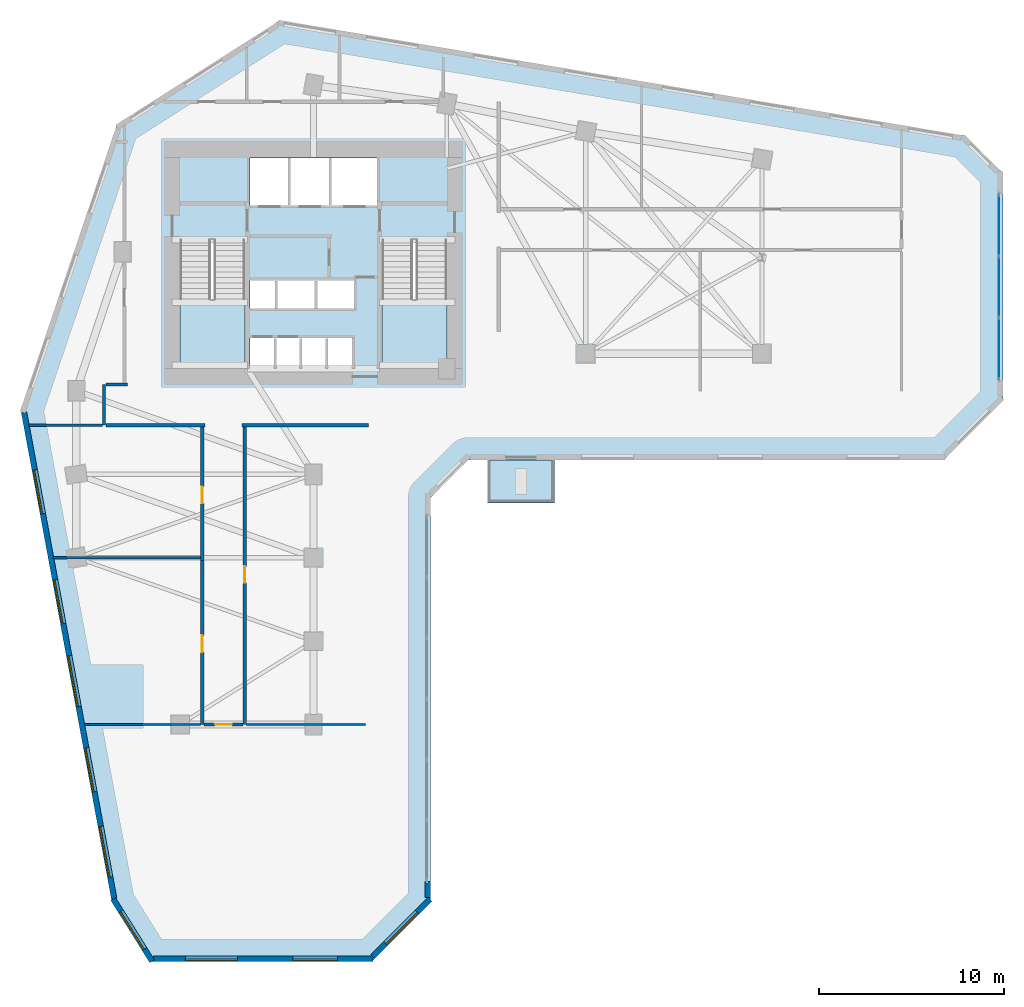
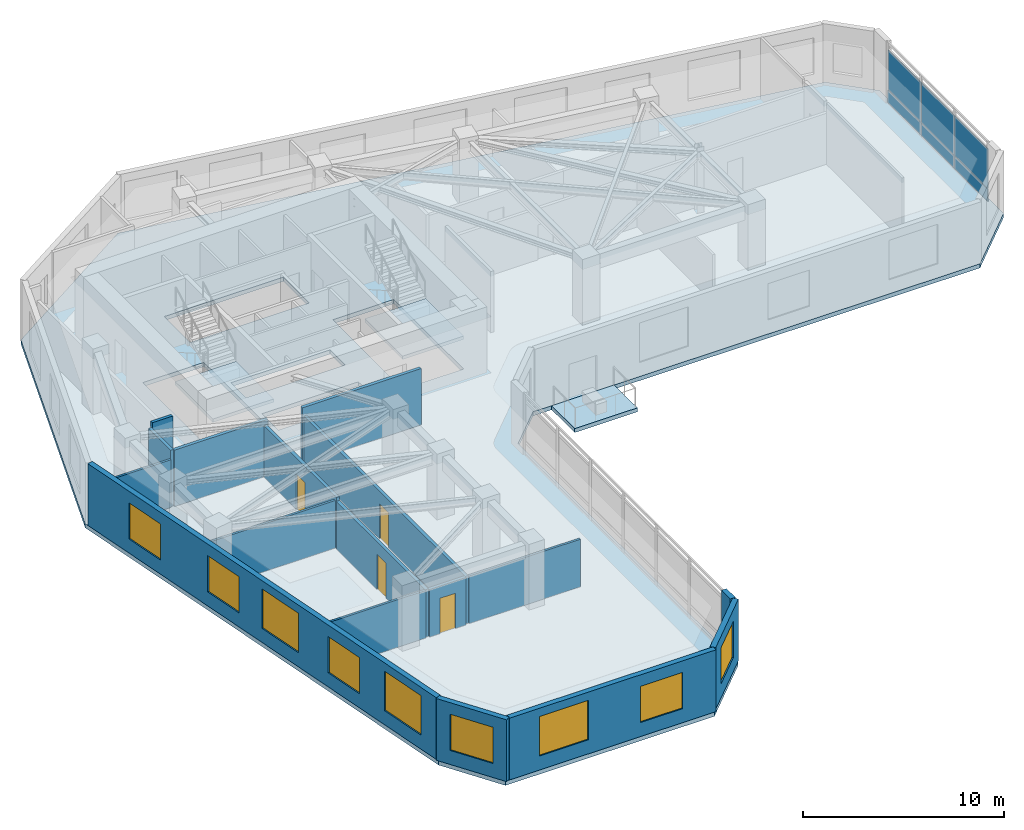
# One storey, part 6 of 11: 17 walls, 9 windows, 6 plates, 4 doors, 4 slabs, 13 openings, 3 elements without a shape of their own.
"""IFC4 building model written with IfcOpenShell, lengths in metres."""

from ifc_helpers import new_model, si_unit, direction, frame, frame_2d, origin, place, context, subcontext, project, spatial, polyline, rectangle, outline, extrude, source, transform, mapped, material, layer, layer_set, type_object, element, fill, aggregate, save


model = new_model("IFC4")

# Units and contexts
model_context = context("Model", 3, precision=1e-05, world=origin(), true_north=direction((0.0, 1.0)))
body_context = subcontext(model_context, "Body", "Model", "MODEL_VIEW")
ifc_project = project(units=[si_unit("LENGTHUNIT", "METRE"), si_unit("AREAUNIT", "SQUARE_METRE"), si_unit("VOLUMEUNIT", "CUBIC_METRE"), si_unit("PLANEANGLEUNIT", "RADIAN"), si_unit("MASSUNIT", "GRAM", prefix="KILO")], contexts=[model_context])

# Site, building, storey
site_placement = place(None, origin())
site = spatial("IfcSite", under=ifc_project, at=site_placement, CompositionType="ELEMENT")
building_placement = place(site_placement, origin())
building = spatial("IfcBuilding", under=site, at=building_placement, Name="Calvemar Wedge Station Tower", CompositionType="ELEMENT")
storey_placement = place(building_placement, frame((0.0, 0.0, 43.0)))
storey = spatial("IfcBuildingStorey", under=building, at=storey_placement, Name="L10", CompositionType="ELEMENT", Elevation=43.0)

# Curtain wall, plates
ifc_material_1 = material(Name="Anodised aluminium 6063-T6", Category="aluminium")
curtain_wall_type = type_object("IfcCurtainWallType", Name="CW1", PredefinedType="NOTDEFINED", material=ifc_material_1)
curtain_wall_placement = place(storey_placement, origin())
curtain_wall = element("IfcCurtainWall", 1, at=curtain_wall_placement, inside=storey, type_object=curtain_wall_type, Name="Storey L10 CW1 Recessed Unitised Curtain Wall 8", PredefinedType="NOTDEFINED")
ifc_material_2 = material(Name="Low-E laminated insulated glass", Category="glass")
ifc_layer_1 = layer(ifc_material_2, 0.028076171875)
ifc_layer_set_1 = layer_set([ifc_layer_1], Name="Low-E laminated insulated glass")
plate_type_1 = type_object("IfcPlateType", Name="CW1-GLZ", PredefinedType="CURTAIN_PANEL", material=ifc_layer_set_1)
plate_1_placement = place(storey_placement, frame((60.7900390625, 33.64013671875, 0.8701171875), z_axis=(0.0, 0.0, 1.0), x_axis=(0.0, 1.0, 0.0)))
plate_1 = element("IfcPlate", 2, at=plate_1_placement, type_object=plate_type_1, Name="CW1 vision glass panel 1", PredefinedType="CURTAIN_PANEL", context=body_context, shape_type="SweptSolid", body=[
    extrude(rectangle(XDim=3.289306640625, YDim=0.028076171875, at=frame_2d((1.64453125, 0.0))), origin(), (0.0, 0.0, 1.0), 2.409912109375),
])
plate_2_placement = place(storey_placement, frame((60.7900390625, 36.96533203125, 0.8701171875), z_axis=(0.0, 0.0, 1.0), x_axis=(0.0, 1.0, 0.0)))
plate_2 = element("IfcPlate", 3, at=plate_2_placement, type_object=plate_type_1, Name="CW1 vision glass panel 2", PredefinedType="CURTAIN_PANEL", context=body_context, shape_type="SweptSolid", body=[
    extrude(rectangle(XDim=3.289306640625, YDim=0.028076171875, at=frame_2d((1.64453125, 0.0))), origin(), (0.0, 0.0, 1.0), 2.409912109375),
])
plate_3_placement = place(storey_placement, frame((60.7900390625, 40.29052734375, 0.8701171875), z_axis=(0.0, 0.0, 1.0), x_axis=(0.0, 1.0, 0.0)))
plate_3 = element("IfcPlate", 4, at=plate_3_placement, type_object=plate_type_1, Name="CW1 vision glass panel 3", PredefinedType="CURTAIN_PANEL", context=body_context, shape_type="SweptSolid", body=[
    extrude(rectangle(XDim=3.289306640625, YDim=0.028076171875, at=frame_2d((1.64453125, 0.0))), origin(), (0.0, 0.0, 1.0), 2.409912109375),
])
ifc_material_3 = material(Name="Oxidized bronze aluminium spandrel panel 5005-H24", Category="aluminium")
ifc_layer_2 = layer(ifc_material_3, 0.0400390625)
ifc_layer_set_2 = layer_set([ifc_layer_2], Name="Oxidized bronze aluminium spandrel panel 5005-H24")
plate_type_2 = type_object("IfcPlateType", Name="CW1-SPD", PredefinedType="SHEET", material=ifc_layer_set_2)
plate_4_placement = place(storey_placement, frame((60.7900390625, 33.64013671875, 0.080078125), z_axis=(0.0, 0.0, 1.0), x_axis=(0.0, 1.0, 0.0)))
plate_4 = element("IfcPlate", 5, at=plate_4_placement, type_object=plate_type_2, Name="CW1 bronze spandrel panel 1", PredefinedType="SHEET", context=body_context, shape_type="SweptSolid", body=[
    extrude(rectangle(XDim=3.289306640625, YDim=0.0400390625, at=frame_2d((1.64453125, 0.0))), origin(), (0.0, 0.0, 1.0), 0.75),
])
plate_5_placement = place(storey_placement, frame((60.7900390625, 36.96533203125, 0.080078125), z_axis=(0.0, 0.0, 1.0), x_axis=(0.0, 1.0, 0.0)))
plate_5 = element("IfcPlate", 6, at=plate_5_placement, type_object=plate_type_2, Name="CW1 bronze spandrel panel 2", PredefinedType="SHEET", context=body_context, shape_type="SweptSolid", body=[
    extrude(rectangle(XDim=3.289306640625, YDim=0.0400390625, at=frame_2d((1.64453125, 0.0))), origin(), (0.0, 0.0, 1.0), 0.75),
])
plate_6_placement = place(storey_placement, frame((60.7900390625, 40.29052734375, 0.080078125), z_axis=(0.0, 0.0, 1.0), x_axis=(0.0, 1.0, 0.0)))
plate_6 = element("IfcPlate", 7, at=plate_6_placement, type_object=plate_type_2, Name="CW1 bronze spandrel panel 3", PredefinedType="SHEET", context=body_context, shape_type="SweptSolid", body=[
    extrude(rectangle(XDim=3.289306640625, YDim=0.0400390625, at=frame_2d((1.64453125, 0.0))), origin(), (0.0, 0.0, 1.0), 0.75),
])
aggregate(curtain_wall, [plate_4, plate_1, plate_5, plate_2, plate_6, plate_3])

# Stair, slab
ifc_material_4 = material(Name="Concrete C45", Category="concrete")
stair_type = type_object("IfcStairType", Name="ST-TYPE-4000", PredefinedType="HALF_TURN_STAIR", material=ifc_material_4)
stair_1_placement = place(storey_placement, origin())
stair_1 = element("IfcStair", 8, at=stair_1_placement, inside=storey, type_object=stair_type, Name="L10 Pressurized Core Exit Stair ST-C1", PredefinedType="HALF_TURN_STAIR")
ifc_layer_3 = layer(ifc_material_4, 0.199951171875)
ifc_layer_set_3 = layer_set([ifc_layer_3], Name="Concrete C45")
slab_type_1 = type_object("IfcSlabType", Name="SL-STAIR-LND-200", PredefinedType="LANDING", material=ifc_layer_set_3)
slab_1_placement = place(storey_placement, frame((0.0, 0.0, 1.800048828125)))
slab_1 = element("IfcSlab", 9, at=slab_1_placement, type_object=slab_type_1, Name="ST-C1 landing 1", PredefinedType="LANDING", context=body_context, shape_type="SweptSolid", body=[
    extrude(outline(polyline([(16.60009765625, 37.9599609375), (16.60009765625, 34.199951171875), (20.10009765625, 34.199951171875), (20.10009765625, 37.9599609375), (16.60009765625, 37.9599609375)])), origin(), (0.0, 0.0, 1.0), 0.199951171875),
])
aggregate(stair_1, [slab_1])

stair_2_placement = place(storey_placement, origin())
stair_2 = element("IfcStair", 10, at=stair_2_placement, inside=storey, type_object=stair_type, Name="L10 Pressurized Core Exit Stair ST-C2", PredefinedType="HALF_TURN_STAIR")
slab_2_placement = place(storey_placement, frame((0.0, 0.0, 1.800048828125)))
slab_2 = element("IfcSlab", 11, at=slab_2_placement, type_object=slab_type_1, Name="ST-C2 landing 1", PredefinedType="LANDING", context=body_context, shape_type="SweptSolid", body=[
    extrude(outline(polyline([(27.5, 37.9599609375), (27.5, 34.199951171875), (31.0, 34.199951171875), (31.0, 37.9599609375), (27.5, 37.9599609375)])), origin(), (0.0, 0.0, 1.0), 0.199951171875),
])
aggregate(stair_2, [slab_2])

# Slabs
ifc_layer_4 = layer(ifc_material_4, 0.239990234375)
ifc_layer_set_4 = layer_set([ifc_layer_4], Name="Concrete C45")
slab_type_2 = type_object("IfcSlabType", Name="SL-TERR-240", PredefinedType="FLOOR", material=ifc_layer_set_4)
slab_3_placement = place(storey_placement, frame((0.0, 0.0, -0.239990234375)))
element("IfcSlab", 12, at=slab_3_placement, inside=storey, type_object=slab_type_2, Name="Storey L10 Planted Spiral Terrace Slab", PredefinedType="FLOOR", context=body_context, shape_type="SweptSolid", body=[
    extrude(outline(polyline([(33.199951171875, 29.260009765625), (33.199951171875, 26.9599609375), (36.800048828125, 26.9599609375), (36.800048828125, 29.260009765625), (33.199951171875, 29.260009765625)])), origin(), (0.0, 0.0, 1.0), 0.239990234375),
])
ifc_material_5 = material(Name="Concrete C50", Category="concrete")
ifc_layer_5 = layer(ifc_material_5, 0.25)
ifc_layer_set_5 = layer_set([ifc_layer_5], Name="Concrete C50")
slab_type_3 = type_object("IfcSlabType", Name="SL-TYP-250", PredefinedType="FLOOR", material=ifc_layer_set_5)
slab_4_placement = place(storey_placement, frame((0.0, 0.0, -0.25)))
element("IfcSlab", 13, at=slab_4_placement, inside=storey, type_object=slab_type_3, Name="Storey L10 Structural Floor Slab", PredefinedType="FLOOR", context=body_context, shape_type="SweptSolid", body=[
    extrude(outline(polyline([(8.0, 32.0), (12.927978515625, 5.39990234375), (14.927978515625, 2.199951171875), (26.927978515625, 2.199951171875), (30.1279296875, 5.39990234375), (30.1279296875, 27.260009765625), (32.1279296875, 29.260009765625), (57.800048828125, 29.260009765625), (61.0, 32.4599609375), (61.0, 44.760009765625), (59.0, 46.760009765625), (22.0, 53.0), (13.199951171875, 47.39990234375), (8.0, 32.0)]), holes=[polyline([(21.739990234375, 35.85009765625), (21.72998046875, 35.85009765625), (20.3798828125, 35.85009765625), (20.3798828125, 34.219970703125), (21.72998046875, 34.219970703125), (21.739990234375, 34.219970703125), (23.1201171875, 34.219970703125), (23.1298828125, 34.219970703125), (24.510009765625, 34.219970703125), (24.52001953125, 34.219970703125), (25.909912109375, 34.219970703125), (25.909912109375, 35.85009765625), (24.52001953125, 35.85009765625), (24.510009765625, 35.85009765625), (23.1298828125, 35.85009765625), (23.1201171875, 35.85009765625), (21.739990234375, 35.85009765625)]), polyline([(16.60009765625, 41.14990234375), (16.60009765625, 34.199951171875), (20.10009765625, 34.199951171875), (20.10009765625, 41.14990234375), (16.60009765625, 41.14990234375)]), polyline([(27.5, 34.199951171875), (31.0, 34.199951171875), (31.0, 41.14990234375), (27.5, 41.14990234375), (27.5, 34.199951171875)]), polyline([(21.7900390625, 37.449951171875), (21.800048828125, 37.449951171875), (23.929931640625, 37.449951171875), (23.93994140625, 37.449951171875), (26.080078125, 37.449951171875), (26.080078125, 38.949951171875), (23.93994140625, 38.949951171875), (23.929931640625, 38.949951171875), (21.800048828125, 38.949951171875), (21.7900390625, 38.949951171875), (20.3798828125, 38.949951171875), (20.3798828125, 37.449951171875), (21.7900390625, 37.449951171875)]), polyline([(20.3798828125, 43.0), (27.219970703125, 43.0), (27.219970703125, 45.580078125), (20.3798828125, 45.580078125), (20.3798828125, 43.0)])]), origin(), (0.0, 0.0, 1.0), 0.25),
])

# Walls
ifc_material_6 = material(Name="Double-stud fire-rated corridor partition")
ifc_layer_6 = layer(ifc_material_6, 0.179931640625)
ifc_layer_set_6 = layer_set([ifc_layer_6], Name="Double-stud fire-rated corridor partition")
wall_type_1 = type_object("IfcWallType", Name="W-CORR-180", PredefinedType="PARTITIONING", material=ifc_layer_set_6)
wall_1_placement = place(storey_placement, frame((12.5, 31.14990234375, 0.0), z_axis=(0.0, 0.0, 1.0), x_axis=(0.0, 1.0, 0.0)))
element("IfcWall", 14, at=wall_1_placement, inside=storey, type_object=wall_type_1, Name="Storey L10 Interior Partition WL-L10-004", PredefinedType="PARTITIONING", context=body_context, shape_type="SweptSolid", body=[
    extrude(rectangle(XDim=2.2001953125, YDim=0.179931640625, at=frame_2d((1.10009765625, 0.0))), origin(), (0.0, 0.0, 1.0), 3.4189453125),
])
wall_2_placement = place(storey_placement, frame((12.593994140625, 33.35009765625, 0.0), z_axis=(0.0, 0.0, 1.0), x_axis=(1.0, 0.0, 0.0)))
element("IfcWall", 15, at=wall_2_placement, inside=storey, type_object=wall_type_1, Name="Storey L10 Interior Partition WL-L10-005", PredefinedType="PARTITIONING", context=body_context, shape_type="SweptSolid", body=[
    extrude(rectangle(XDim=1.166015625, YDim=0.179931640625, at=frame_2d((0.5830078125, 0.0))), origin(), (0.0, 0.0, 1.0), 3.75),
])
wall_3_placement = place(storey_placement, frame((17.9599609375, 31.14990234375, 0.0), z_axis=(0.0, 0.0, 1.0), x_axis=(-1.0, 0.0, 0.0)))
element("IfcWall", 16, at=wall_3_placement, inside=storey, type_object=wall_type_1, Name="Storey L10 Interior Partition WL-L10-006", PredefinedType="PARTITIONING", context=body_context, shape_type="SweptSolid", body=[
    extrude(rectangle(XDim=5.365966796875, YDim=0.179931640625, at=frame_2d((2.68310546875, 0.0))), origin(), (0.0, 0.0, 1.0), 3.4189453125),
])
wall_4_placement = place(storey_placement, frame((26.760009765625, 31.14990234375, 0.0), z_axis=(0.0, 0.0, 1.0), x_axis=(-1.0, 0.0, 0.0)))
element("IfcWall", 17, at=wall_4_placement, inside=storey, type_object=wall_type_1, Name="Storey L10 Interior Partition WL-L10-007", PredefinedType="PARTITIONING", context=body_context, shape_type="SweptSolid", body=[
    extrude(rectangle(XDim=6.820068359375, YDim=0.179931640625, at=frame_2d((3.41015625, 0.0))), origin(), (0.0, 0.0, 1.0), 3.4189453125),
])

# Wall, opening, door
wall_5_placement = place(storey_placement, frame((17.800048828125, 23.840087890625, 0.0), z_axis=(0.0, 0.0, 1.0), x_axis=(0.0, 1.0, 0.0)))
wall_5 = element("IfcWall", 18, at=wall_5_placement, inside=storey, type_object=wall_type_1, Name="Storey L10 Interior Partition WL-L10-028", PredefinedType="PARTITIONING", context=body_context, shape_type="SweptSolid", body=[
    extrude(rectangle(XDim=7.2158203125, YDim=0.179931640625, at=frame_2d((3.60791015625, 0.0))), origin(), (0.0, 0.0, 1.0), 3.125),
])
shared_shape_1 = source(origin(), body_context, "Body", "SweptSolid", [
    extrude(rectangle(XDim=0.89990234375, YDim=2.14990234375, at=frame_2d((0.449951171875, 1.074951171875))), frame((0.0, 0.10009765625, 0.0), z_axis=(0.0, -1.0, 0.0), x_axis=(1.0, 0.0, 0.0)), (0.0, 0.0, 1.0), 0.199951171875),
])
opening_1_placement = place(wall_5_placement, frame((3.0966796875, 0.0, 0.0)))
opening_1 = element("IfcOpeningElement", 19, at=opening_1_placement, cuts=wall_5, Name="Opening D-01", PredefinedType="OPENING", context=body_context, shape_type="MappedRepresentation", body=[
    mapped(shared_shape_1, transform((0.0, 0.0, 0.0), scale=1.0)),
])
ifc_material_7 = material(Name="Architectural hardwood acoustic swing door", Category="wood")
door_type = type_object("IfcDoorType", Name="DR-INT-900", OperationType="NOTDEFINED", PredefinedType="DOOR", material=ifc_material_7)
shared_shape_2 = source(origin(), body_context, "Body", "SweptSolid", [
    extrude(rectangle(XDim=0.89990234375, YDim=2.14990234375, at=frame_2d((0.449951171875, 1.074951171875))), frame((0.0, 0.02490234375, 0.0), z_axis=(0.0, -1.0, 0.0), x_axis=(1.0, 0.0, 0.0)), (0.0, 0.0, 1.0), 0.050048828125),
])
door_1_placement = place(opening_1_placement, origin())
door_1 = element("IfcDoor", 20, at=door_1_placement, inside=storey, type_object=door_type, Name="L10 Office Door", OperationType="SINGLE_SWING_LEFT", OverallHeight=2.14990234375, OverallWidth=0.89990234375, PredefinedType="DOOR", context=body_context, shape_type="MappedRepresentation", body=[
    mapped(shared_shape_2, transform((0.0, 0.0, 0.0), scale=1.0)),
])
fill(opening_1, door_1)

wall_6_placement = place(storey_placement, frame((17.800048828125, 15.0, 0.0), z_axis=(0.0, 0.0, 1.0), x_axis=(0.0, 1.0, 0.0)))
wall_6 = element("IfcWall", 21, at=wall_6_placement, inside=storey, type_object=wall_type_1, Name="Storey L10 Interior Partition WL-L10-029", PredefinedType="PARTITIONING", context=body_context, shape_type="SweptSolid", body=[
    extrude(rectangle(XDim=8.837890625, YDim=0.179931640625, at=frame_2d((4.4189453125, 0.0))), origin(), (0.0, 0.0, 1.0), 2.89208984375),
])
opening_2_placement = place(wall_6_placement, frame((3.908447265625, 0.0, 0.0)))
opening_2 = element("IfcOpeningElement", 22, at=opening_2_placement, cuts=wall_6, Name="Opening D-01", PredefinedType="OPENING", context=body_context, shape_type="MappedRepresentation", body=[
    mapped(shared_shape_1, transform((0.0, 0.0, 0.0), scale=1.0)),
])
door_2_placement = place(opening_2_placement, origin())
door_2 = element("IfcDoor", 23, at=door_2_placement, inside=storey, type_object=door_type, Name="L10 Co-Working Studio Door", OperationType="SINGLE_SWING_RIGHT", OverallHeight=2.14990234375, OverallWidth=0.89990234375, PredefinedType="DOOR", context=body_context, shape_type="MappedRepresentation", body=[
    mapped(shared_shape_2, transform((0.0, 0.0, 0.0), scale=1.0)),
])
fill(opening_2, door_2)

wall_7_placement = place(storey_placement, frame((20.10009765625, 31.055908203125, 0.0), z_axis=(0.0, 0.0, 1.0), x_axis=(0.0, -1.0, 0.0)))
wall_7 = element("IfcWall", 24, at=wall_7_placement, inside=storey, type_object=wall_type_1, Name="Storey L10 Interior Partition WL-L10-030", PredefinedType="PARTITIONING", context=body_context, shape_type="SweptSolid", body=[
    extrude(rectangle(XDim=16.055908203125, YDim=0.179931640625, at=frame_2d((8.02783203125, 0.0))), origin(), (0.0, 0.0, 1.0), 2.89208984375),
])
opening_3_placement = place(wall_7_placement, frame((7.517578125, 0.0, 0.0)))
opening_3 = element("IfcOpeningElement", 25, at=opening_3_placement, cuts=wall_7, Name="Opening D-01", PredefinedType="OPENING", context=body_context, shape_type="MappedRepresentation", body=[
    mapped(shared_shape_1, transform((0.0, 0.0, 0.0), scale=1.0)),
])
door_3_placement = place(opening_3_placement, origin())
door_3 = element("IfcDoor", 26, at=door_3_placement, inside=storey, type_object=door_type, Name="L10 Co-Working Studio Door", OperationType="SINGLE_SWING_LEFT", OverallHeight=2.14990234375, OverallWidth=0.89990234375, PredefinedType="DOOR", context=body_context, shape_type="MappedRepresentation", body=[
    mapped(shared_shape_2, transform((0.0, 0.0, 0.0), scale=1.0)),
])
fill(opening_3, door_3)

wall_8_placement = place(storey_placement, frame((20.006103515625, 15.0, 0.0), z_axis=(0.0, 0.0, 1.0), x_axis=(-1.0, 0.0, 0.0)))
wall_8 = element("IfcWall", 27, at=wall_8_placement, inside=storey, type_object=wall_type_1, Name="Storey L10 Interior Partition WL-L10-031", PredefinedType="PARTITIONING", context=body_context, shape_type="SweptSolid", body=[
    extrude(rectangle(XDim=2.112060546875, YDim=0.179931640625, at=frame_2d((1.05615234375, 0.0))), origin(), (0.0, 0.0, 1.0), 2.89208984375),
])
opening_4_placement = place(wall_8_placement, frame((0.60595703125, 0.0, 0.0)))
opening_4 = element("IfcOpeningElement", 28, at=opening_4_placement, cuts=wall_8, Name="Opening D-01", PredefinedType="OPENING", context=body_context, shape_type="MappedRepresentation", body=[
    mapped(shared_shape_1, transform((0.0, 0.0, 0.0), scale=1.0)),
])
door_4_placement = place(opening_4_placement, origin())
door_4 = element("IfcDoor", 29, at=door_4_placement, inside=storey, type_object=door_type, Name="L10 Meeting Room Door", OperationType="SINGLE_SWING_RIGHT", OverallHeight=2.14990234375, OverallWidth=0.89990234375, PredefinedType="DOOR", context=body_context, shape_type="MappedRepresentation", body=[
    mapped(shared_shape_2, transform((0.0, 0.0, 0.0), scale=1.0)),
])
fill(opening_4, door_4)

# Wall, opening, window
ifc_material_8 = material(Name="Precast concrete C45", Category="concrete")
ifc_layer_7 = layer(ifc_material_8, 0.300048828125)
ifc_layer_set_7 = layer_set([ifc_layer_7], Name="Precast concrete C45")
wall_type_2 = type_object("IfcWallType", Name="W-EXT-GFRC-300", PredefinedType="SOLIDWALL", material=ifc_layer_set_7)
wall_9_placement = place(storey_placement, frame((12.99072265625, 5.58251953125, 0.0), z_axis=(0.0, 0.0, 1.0), x_axis=(0.530015557218, -0.847987918019, 0.0)))
wall_9 = element("IfcWall", 30, at=wall_9_placement, inside=storey, type_object=wall_type_2, Name="Storey L10 Bronze GFRC Exterior Wall 1", PredefinedType="SOLIDWALL", context=body_context, shape_type="SweptSolid", body=[
    extrude(rectangle(XDim=3.9619140625, YDim=0.300048828125, at=frame_2d((1.98095703125, 0.0))), origin(), (0.0, 0.0, 1.0), 3.75),
])
shared_shape_3 = source(origin(), body_context, "Body", "SweptSolid", [
    extrude(rectangle(XDim=2.39990234375, YDim=2.199951171875, at=frame_2d((1.199951171875, 1.10009765625))), frame((0.0, 0.16015625, 0.0), z_axis=(0.0, -1.0, 0.0), x_axis=(1.0, 0.0, 0.0)), (0.0, 0.0, 1.0), 0.320068359375),
])
opening_5_placement = place(wall_9_placement, frame((0.781005859375, 0.0, 0.85009765625)))
opening_5 = element("IfcOpeningElement", 31, at=opening_5_placement, cuts=wall_9, Name="Opening W1", PredefinedType="OPENING", context=body_context, shape_type="MappedRepresentation", body=[
    mapped(shared_shape_3, transform((0.0, 0.0, 0.0), scale=1.0)),
])
window_type_1 = type_object("IfcWindowType", Name="WIN-EXT-1", PartitioningType="SINGLE_PANEL", PredefinedType="WINDOW", material=ifc_material_2)
shared_shape_4 = source(origin(), body_context, "Body", "SweptSolid", [
    extrude(rectangle(XDim=2.39990234375, YDim=2.199951171875, at=frame_2d((1.199951171875, 1.10009765625))), frame((0.0, -0.014892578125, 0.0), z_axis=(0.0, -1.0, 0.0), x_axis=(1.0, 0.0, 0.0)), (0.0, 0.0, 1.0), 0.06005859375),
])
window_1_placement = place(opening_5_placement, origin())
window_1 = element("IfcWindow", 32, at=window_1_placement, inside=storey, type_object=window_type_1, Name="Storey L10 Recessed Window 1.1", OverallHeight=2.199951171875, OverallWidth=2.39990234375, PartitioningType="SINGLE_PANEL", PredefinedType="WINDOW", context=body_context, shape_type="MappedRepresentation", body=[
    mapped(shared_shape_4, transform((0.0, 0.0, 0.0), scale=1.0)),
])
fill(opening_5, window_1)

# Wall, openings, windows
wall_10_placement = place(storey_placement, frame((15.173828125, 2.35009765625, 0.0), z_axis=(0.0, 0.0, 1.0), x_axis=(1.0, 0.0, 0.0)))
wall_10 = element("IfcWall", 33, at=wall_10_placement, inside=storey, type_object=wall_type_2, Name="Storey L10 Bronze GFRC Exterior Wall 2", PredefinedType="SOLIDWALL", context=body_context, shape_type="SweptSolid", body=[
    extrude(rectangle(XDim=11.842041015625, YDim=0.300048828125, at=frame_2d((5.9208984375, 0.0))), origin(), (0.0, 0.0, 1.0), 3.75),
])
shared_shape_5 = source(origin(), body_context, "Body", "SweptSolid", [
    extrude(rectangle(XDim=2.800048828125, YDim=2.39990234375, at=frame_2d((1.39990234375, 1.199951171875))), frame((0.0, 0.16015625, 0.0), z_axis=(0.0, -1.0, 0.0), x_axis=(1.0, 0.0, 0.0)), (0.0, 0.0, 1.0), 0.320068359375),
])
opening_6_placement = place(wall_10_placement, frame((1.720947265625, 0.0, 0.85009765625)))
opening_6 = element("IfcOpeningElement", 34, at=opening_6_placement, cuts=wall_10, Name="Opening W6", PredefinedType="OPENING", context=body_context, shape_type="MappedRepresentation", body=[
    mapped(shared_shape_5, transform((0.0, 0.0, 0.0), scale=1.0)),
])
opening_7_placement = place(wall_10_placement, frame((7.52197265625, 0.0, 0.85009765625)))
opening_7 = element("IfcOpeningElement", 35, at=opening_7_placement, cuts=wall_10, Name="Opening W1", PredefinedType="OPENING", context=body_context, shape_type="MappedRepresentation", body=[
    mapped(shared_shape_3, transform((0.0, 0.0, 0.0), scale=1.0)),
])
window_type_2 = type_object("IfcWindowType", Name="WIN-EXT-6", PartitioningType="SINGLE_PANEL", PredefinedType="WINDOW", material=ifc_material_2)
shared_shape_6 = source(origin(), body_context, "Body", "SweptSolid", [
    extrude(rectangle(XDim=2.800048828125, YDim=2.39990234375, at=frame_2d((1.39990234375, 1.199951171875))), frame((0.0, -0.014892578125, 0.0), z_axis=(0.0, -1.0, 0.0), x_axis=(1.0, 0.0, 0.0)), (0.0, 0.0, 1.0), 0.06005859375),
])
window_2_placement = place(opening_6_placement, origin())
window_2 = element("IfcWindow", 36, at=window_2_placement, inside=storey, type_object=window_type_2, Name="Storey L10 Recessed Window 2.1", OverallHeight=2.39990234375, OverallWidth=2.800048828125, PartitioningType="SINGLE_PANEL", PredefinedType="WINDOW", context=body_context, shape_type="MappedRepresentation", body=[
    mapped(shared_shape_6, transform((0.0, 0.0, 0.0), scale=1.0)),
])
fill(opening_6, window_2)
window_3_placement = place(opening_7_placement, origin())
window_3 = element("IfcWindow", 37, at=window_3_placement, inside=storey, type_object=window_type_1, Name="Storey L10 Recessed Window 2.2", OverallHeight=2.199951171875, OverallWidth=2.39990234375, PartitioningType="SINGLE_PANEL", PredefinedType="WINDOW", context=body_context, shape_type="MappedRepresentation", body=[
    mapped(shared_shape_4, transform((0.0, 0.0, 0.0), scale=1.0)),
])
fill(opening_7, window_3)

# Wall, opening, window
wall_11_placement = place(storey_placement, frame((27.00390625, 2.488037109375, 0.0), z_axis=(0.0, 0.0, 1.0), x_axis=(0.707106781187, 0.707106781187, 0.0)))
wall_11 = element("IfcWall", 38, at=wall_11_placement, inside=storey, type_object=wall_type_2, Name="Storey L10 Bronze GFRC Exterior Wall 3", PredefinedType="SOLIDWALL", context=body_context, shape_type="SweptSolid", body=[
    extrude(rectangle(XDim=4.35595703125, YDim=0.300048828125, at=frame_2d((2.177978515625, 0.0))), origin(), (0.0, 0.0, 1.0), 3.75),
])
opening_8_placement = place(wall_11_placement, frame((0.97802734375, 0.0, 0.85009765625)))
opening_8 = element("IfcOpeningElement", 39, at=opening_8_placement, cuts=wall_11, Name="Opening W1", PredefinedType="OPENING", context=body_context, shape_type="MappedRepresentation", body=[
    mapped(shared_shape_3, transform((0.0, 0.0, 0.0), scale=1.0)),
])
window_4_placement = place(opening_8_placement, origin())
window_4 = element("IfcWindow", 40, at=window_4_placement, inside=storey, type_object=window_type_1, Name="Storey L10 Recessed Window 3.1", OverallHeight=2.199951171875, OverallWidth=2.39990234375, PartitioningType="SINGLE_PANEL", PredefinedType="WINDOW", context=body_context, shape_type="MappedRepresentation", body=[
    mapped(shared_shape_4, transform((0.0, 0.0, 0.0), scale=1.0)),
])
fill(opening_8, window_4)

# Wall
wall_12_placement = place(storey_placement, frame((29.97802734375, 5.6572265625, 0.0), z_axis=(0.0, 0.0, 1.0), x_axis=(0.0, 1.0, 0.0)))
element("IfcWall", 41, at=wall_12_placement, inside=storey, type_object=wall_type_2, Name="Storey L10 Bronze GFRC Corner Pier 4A", PredefinedType="SOLIDWALL", context=body_context, shape_type="SweptSolid", body=[
    extrude(rectangle(XDim=0.8798828125, YDim=0.300048828125, at=frame_2d((0.43994140625, 0.0))), origin(), (0.0, 0.0, 1.0), 3.75),
])

# Wall, openings, windows
wall_13_placement = place(storey_placement, frame((8.183349609375, 31.83349609375, 0.0), z_axis=(0.0, 0.0, 1.0), x_axis=(0.18216364648, -0.983268226834, 0.0)))
wall_13 = element("IfcWall", 42, at=wall_13_placement, inside=storey, type_object=wall_type_2, Name="Storey L10 Bronze GFRC Exterior Wall 13", PredefinedType="SOLIDWALL", context=body_context, shape_type="SweptSolid", body=[
    extrude(rectangle(XDim=26.678466796875, YDim=0.300048828125, at=frame_2d((13.33935546875, 0.0))), origin(), (0.0, 0.0, 1.0), 3.75),
])
opening_9_placement = place(wall_13_placement, frame((3.152099609375, 0.0, 0.85009765625)))
opening_9 = element("IfcOpeningElement", 43, at=opening_9_placement, cuts=wall_13, Name="Opening W1", PredefinedType="OPENING", context=body_context, shape_type="MappedRepresentation", body=[
    mapped(shared_shape_3, transform((0.0, 0.0, 0.0), scale=1.0)),
])
opening_10_placement = place(wall_13_placement, frame((9.18603515625, 0.0, 0.85009765625)))
opening_10 = element("IfcOpeningElement", 44, at=opening_10_placement, cuts=wall_13, Name="Opening W1", PredefinedType="OPENING", context=body_context, shape_type="MappedRepresentation", body=[
    mapped(shared_shape_3, transform((0.0, 0.0, 0.0), scale=1.0)),
])
opening_11_placement = place(wall_13_placement, frame((13.343017578125, 0.0, 0.85009765625)))
opening_11 = element("IfcOpeningElement", 45, at=opening_11_placement, cuts=wall_13, Name="Opening W6", PredefinedType="OPENING", context=body_context, shape_type="MappedRepresentation", body=[
    mapped(shared_shape_5, transform((0.0, 0.0, 0.0), scale=1.0)),
])
opening_12_placement = place(wall_13_placement, frame((18.410888671875, 0.0, 0.85009765625)))
opening_12 = element("IfcOpeningElement", 46, at=opening_12_placement, cuts=wall_13, Name="Opening W1", PredefinedType="OPENING", context=body_context, shape_type="MappedRepresentation", body=[
    mapped(shared_shape_3, transform((0.0, 0.0, 0.0), scale=1.0)),
])
opening_13_placement = place(wall_13_placement, frame((22.708984375, 0.0, 0.85009765625)))
opening_13 = element("IfcOpeningElement", 47, at=opening_13_placement, cuts=wall_13, Name="Opening W6", PredefinedType="OPENING", context=body_context, shape_type="MappedRepresentation", body=[
    mapped(shared_shape_5, transform((0.0, 0.0, 0.0), scale=1.0)),
])
window_5_placement = place(opening_11_placement, origin())
window_5 = element("IfcWindow", 48, at=window_5_placement, inside=storey, type_object=window_type_2, Name="Storey L10 Recessed Window 13.3", OverallHeight=2.39990234375, OverallWidth=2.800048828125, PartitioningType="SINGLE_PANEL", PredefinedType="WINDOW", context=body_context, shape_type="MappedRepresentation", body=[
    mapped(shared_shape_6, transform((0.0, 0.0, 0.0), scale=1.0)),
])
fill(opening_11, window_5)
window_6_placement = place(opening_13_placement, origin())
window_6 = element("IfcWindow", 49, at=window_6_placement, inside=storey, type_object=window_type_2, Name="Storey L10 Recessed Window 13.5", OverallHeight=2.39990234375, OverallWidth=2.800048828125, PartitioningType="SINGLE_PANEL", PredefinedType="WINDOW", context=body_context, shape_type="MappedRepresentation", body=[
    mapped(shared_shape_6, transform((0.0, 0.0, 0.0), scale=1.0)),
])
fill(opening_13, window_6)
window_7_placement = place(opening_9_placement, origin())
window_7 = element("IfcWindow", 50, at=window_7_placement, inside=storey, type_object=window_type_1, Name="Storey L10 Recessed Window 13.1", OverallHeight=2.199951171875, OverallWidth=2.39990234375, PartitioningType="SINGLE_PANEL", PredefinedType="WINDOW", context=body_context, shape_type="MappedRepresentation", body=[
    mapped(shared_shape_4, transform((0.0, 0.0, 0.0), scale=1.0)),
])
fill(opening_9, window_7)
window_8_placement = place(opening_10_placement, origin())
window_8 = element("IfcWindow", 51, at=window_8_placement, inside=storey, type_object=window_type_1, Name="Storey L10 Recessed Window 13.2", OverallHeight=2.199951171875, OverallWidth=2.39990234375, PartitioningType="SINGLE_PANEL", PredefinedType="WINDOW", context=body_context, shape_type="MappedRepresentation", body=[
    mapped(shared_shape_4, transform((0.0, 0.0, 0.0), scale=1.0)),
])
fill(opening_10, window_8)
window_9_placement = place(opening_12_placement, origin())
window_9 = element("IfcWindow", 52, at=window_9_placement, inside=storey, type_object=window_type_1, Name="Storey L10 Recessed Window 13.4", OverallHeight=2.199951171875, OverallWidth=2.39990234375, PartitioningType="SINGLE_PANEL", PredefinedType="WINDOW", context=body_context, shape_type="MappedRepresentation", body=[
    mapped(shared_shape_4, transform((0.0, 0.0, 0.0), scale=1.0)),
])
fill(opening_12, window_9)

# Walls
ifc_material_9 = material(Name="Insulated acoustic gypsum stud partition")
ifc_layer_8 = layer(ifc_material_9, 0.125)
ifc_layer_set_8 = layer_set([ifc_layer_8], Name="Insulated acoustic gypsum stud partition")
wall_type_3 = type_object("IfcWallType", Name="W-PART-125", PredefinedType="PARTITIONING", material=ifc_layer_set_8)
wall_14_placement = place(storey_placement, frame((12.406005859375, 31.14990234375, 0.0), z_axis=(0.0, 0.0, 1.0), x_axis=(-1.0, 0.0, 0.0)))
element("IfcWall", 53, at=wall_14_placement, inside=storey, type_object=wall_type_3, Name="Storey L10 Interior Partition WL-L10-016", PredefinedType="PARTITIONING", context=body_context, shape_type="SweptSolid", body=[
    extrude(rectangle(XDim=3.97900390625, YDim=0.125, at=frame_2d((1.989501953125, 0.0))), origin(), (0.0, 0.0, 1.0), 2.89208984375),
])
wall_15_placement = place(storey_placement, frame((17.7060546875, 24.0, 0.0), z_axis=(0.0, 0.0, 1.0), x_axis=(-1.0, 0.0, 0.0)))
element("IfcWall", 54, at=wall_15_placement, inside=storey, type_object=wall_type_3, Name="Storey L10 Interior Partition WL-L10-032", PredefinedType="PARTITIONING", context=body_context, shape_type="SweptSolid", body=[
    extrude(rectangle(XDim=7.954345703125, YDim=0.125, at=frame_2d((3.97705078125, 0.0))), origin(), (0.0, 0.0, 1.0), 2.89208984375),
])
wall_16_placement = place(storey_placement, frame((17.7060546875, 15.0, 0.0), z_axis=(0.0, 0.0, 1.0), x_axis=(-1.0, 0.0, 0.0)))
element("IfcWall", 55, at=wall_16_placement, inside=storey, type_object=wall_type_3, Name="Storey L10 Interior Partition WL-L10-033", PredefinedType="PARTITIONING", context=body_context, shape_type="SweptSolid", body=[
    extrude(rectangle(XDim=6.287109375, YDim=0.125, at=frame_2d((3.1435546875, 0.0))), origin(), (0.0, 0.0, 1.0), 2.89208984375),
])
wall_17_placement = place(storey_placement, frame((26.60009765625, 15.0, 0.0), z_axis=(0.0, 0.0, 1.0), x_axis=(-1.0, 0.0, 0.0)))
element("IfcWall", 56, at=wall_17_placement, inside=storey, type_object=wall_type_3, Name="Storey L10 Interior Partition WL-L10-034", PredefinedType="PARTITIONING", context=body_context, shape_type="SweptSolid", body=[
    extrude(rectangle(XDim=6.406005859375, YDim=0.125, at=frame_2d((3.203125, 0.0))), origin(), (0.0, 0.0, 1.0), 2.89208984375),
])

save(model, "model.ifc")
